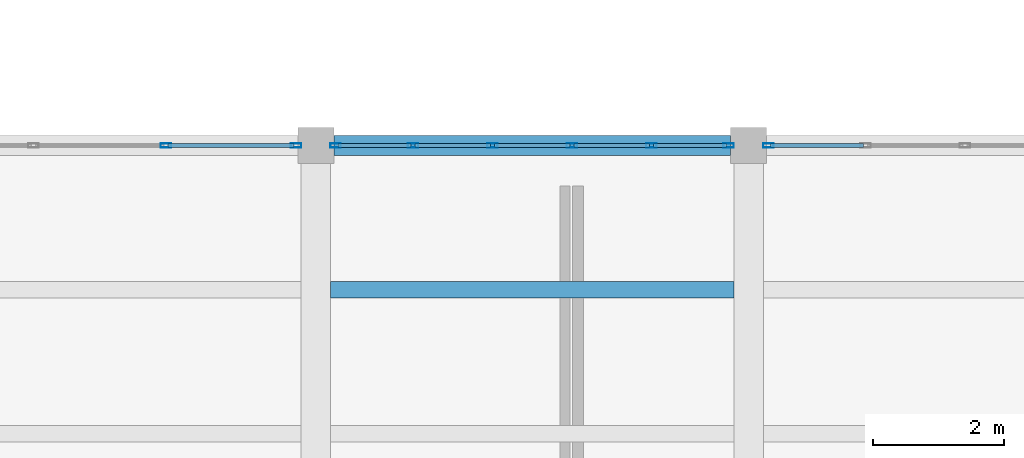
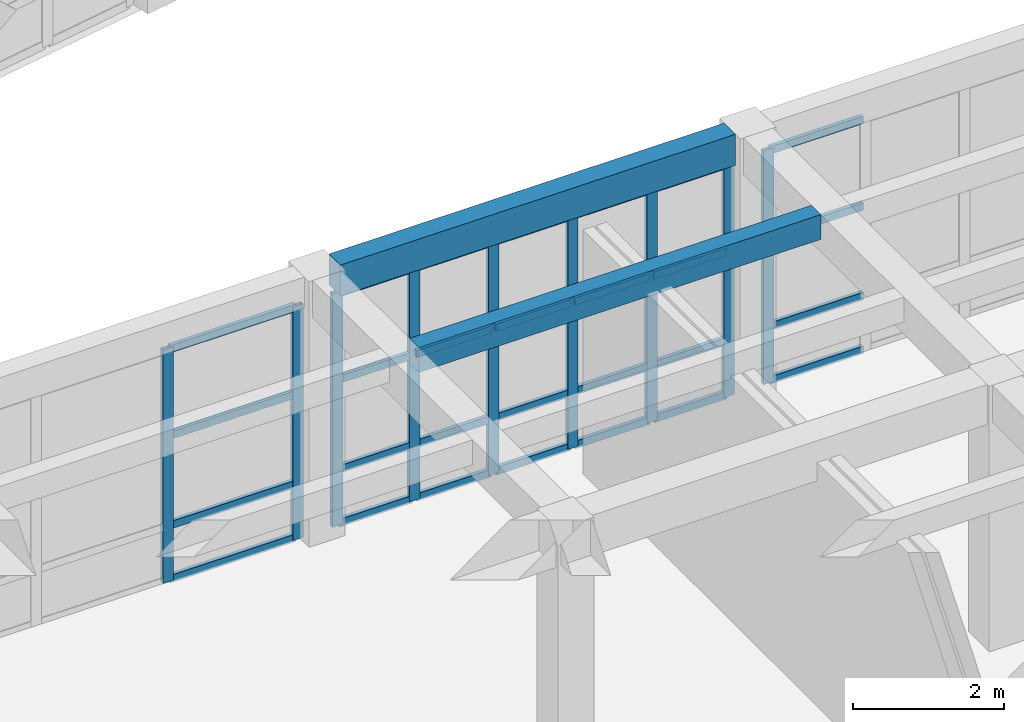
# One storey, part 7 of 48: 37 members, 2 beams, 3 elements without a shape of their own.
"""IFC4 building model written with IfcOpenShell, lengths in metres."""

from ifc_helpers import new_model, si_unit, direction, frame, origin, origin_2d, place, context, subcontext, project, spatial, rectangle, hollow_rectangle, extrude, material, layer, layer_set, material_profile, profile_set, type_object, element, aggregate, save


model = new_model("IFC4")

# Units and contexts
model_context = context("Model", 3, precision=1e-05, world=origin(), true_north=direction((0.0, 1.0)))
body_context = subcontext(model_context, "Body", "Model", "MODEL_VIEW")
ifc_project = project(units=[si_unit("LENGTHUNIT", "METRE"), si_unit("AREAUNIT", "SQUARE_METRE"), si_unit("VOLUMEUNIT", "CUBIC_METRE"), si_unit("PLANEANGLEUNIT", "RADIAN"), si_unit("MASSUNIT", "GRAM", prefix="KILO")], contexts=[model_context])

# Site, building, storey
site_placement = place(None, origin())
site = spatial("IfcSite", under=ifc_project, at=site_placement, CompositionType="ELEMENT")
building_placement = place(site_placement, origin())
building = spatial("IfcBuilding", under=site, at=building_placement, Name="Kharisveld Research Institute", CompositionType="ELEMENT")
storey_placement = place(building_placement, frame((0.0, 0.0, 14.10009765625)))
storey = spatial("IfcBuildingStorey", under=building, at=storey_placement, Name="L03", CompositionType="ELEMENT", Elevation=14.10009765625)

# Curtain wall, members
ifc_material_1 = material(Name="Thermally Broken Aluminium Curtain Wall", Category="aluminium")
ifc_layer_1 = layer(ifc_material_1, 0.159912109375)
ifc_layer_set_1 = layer_set([ifc_layer_1], Name="CW_SYS_06")
curtain_wall_type_1 = type_object("IfcCurtainWallType", Name="CW_SYS_06", PredefinedType="NOTDEFINED", material=ifc_layer_set_1)
curtain_wall_1_placement = place(storey_placement, origin())
curtain_wall_1 = element("IfcCurtainWall", 1, at=curtain_wall_1_placement, inside=storey, type_object=curtain_wall_type_1, Name="CW:V3:L03:N2", PredefinedType="NOTDEFINED")
ifc_material_2 = material(Name="Anodised Aluminium AW-6063-T6", Category="aluminium")
ifc_material_profile_1 = material_profile(ifc_material_2, hollow_rectangle(XDim=0.06494140625, YDim=0.159912109375, WallThickness=0.00390625, at=origin_2d()))
ifc_profile_set_1 = profile_set([ifc_material_profile_1], Name="Anodised Aluminium AW-6063-T6")
member_type_1 = type_object("IfcMemberType", Name="CW_MUL_160", PredefinedType="MULLION", material=ifc_profile_set_1)
member_1_placement = place(storey_placement, frame((18.110107421875, 26.60009765625, 0.0), z_axis=(0.0, 0.0, 1.0), x_axis=(0.0, 1.0, 0.0)))
member_1 = element("IfcMember", 2, at=member_1_placement, type_object=member_type_1, Name="CW-06 mullion 3", PredefinedType="MULLION", context=body_context, shape_type="SweptSolid", body=[
    extrude(hollow_rectangle(XDim=0.06494140625, YDim=0.159912109375, WallThickness=0.00390625, at=origin_2d()), origin(), (0.0, 0.0, 1.0), 3.77978515625),
])
member_2_placement = place(storey_placement, frame((20.097412109375, 26.60009765625, 0.0), z_axis=(0.0, 0.0, 1.0), x_axis=(0.0, 1.0, 0.0)))
member_2 = element("IfcMember", 3, at=member_2_placement, type_object=member_type_1, Name="CW-06 mullion 4", PredefinedType="MULLION", context=body_context, shape_type="SweptSolid", body=[
    extrude(hollow_rectangle(XDim=0.06494140625, YDim=0.159912109375, WallThickness=0.00390625, at=origin_2d()), origin(), (0.0, 0.0, 1.0), 3.77978515625),
])

ifc_material_3 = material(Name="Thermally Broken Aluminium Curtain Wall", Category="aluminium")
ifc_layer_2 = layer(ifc_material_3, 0.159912109375)
ifc_layer_set_2 = layer_set([ifc_layer_2], Name="CW_SYS_01")
curtain_wall_type_2 = type_object("IfcCurtainWallType", Name="CW_SYS_01", PredefinedType="NOTDEFINED", material=ifc_layer_set_2)
curtain_wall_2_placement = place(storey_placement, origin())
curtain_wall_2 = element("IfcCurtainWall", 4, at=curtain_wall_2_placement, inside=storey, type_object=curtain_wall_type_2, Name="CW:V3:L03:N3", PredefinedType="NOTDEFINED")
member_3_placement = place(storey_placement, frame((20.702392578125, 26.60009765625, 0.0), z_axis=(0.0, 0.0, 1.0), x_axis=(0.0, 1.0, 0.0)))
member_3 = element("IfcMember", 5, at=member_3_placement, type_object=member_type_1, Name="CW-01 mullion 1", PredefinedType="MULLION", context=body_context, shape_type="SweptSolid", body=[
    extrude(hollow_rectangle(XDim=0.06494140625, YDim=0.159912109375, WallThickness=0.00390625, at=origin_2d()), origin(), (0.0, 0.0, 1.0), 3.77978515625),
])
member_4_placement = place(storey_placement, frame((21.882080078125, 26.60009765625, 0.0), z_axis=(0.0, 0.0, 1.0), x_axis=(0.0, 1.0, 0.0)))
member_4 = element("IfcMember", 6, at=member_4_placement, type_object=member_type_1, Name="CW-01 mullion 2", PredefinedType="MULLION", context=body_context, shape_type="SweptSolid", body=[
    extrude(hollow_rectangle(XDim=0.06494140625, YDim=0.159912109375, WallThickness=0.00390625, at=origin_2d()), origin(), (0.0, 0.0, 1.0), 3.77978515625),
])
member_5_placement = place(storey_placement, frame((23.093994140625, 26.60009765625, 0.0), z_axis=(0.0, 0.0, 1.0), x_axis=(0.0, 1.0, 0.0)))
member_5 = element("IfcMember", 7, at=member_5_placement, type_object=member_type_1, Name="CW-01 mullion 3", PredefinedType="MULLION", context=body_context, shape_type="SweptSolid", body=[
    extrude(hollow_rectangle(XDim=0.06494140625, YDim=0.159912109375, WallThickness=0.00390625, at=origin_2d()), origin(), (0.0, 0.0, 1.0), 3.77978515625),
])
member_6_placement = place(storey_placement, frame((24.305908203125, 26.60009765625, 0.0), z_axis=(0.0, 0.0, 1.0), x_axis=(0.0, 1.0, 0.0)))
member_6 = element("IfcMember", 8, at=member_6_placement, type_object=member_type_1, Name="CW-01 mullion 4", PredefinedType="MULLION", context=body_context, shape_type="SweptSolid", body=[
    extrude(hollow_rectangle(XDim=0.06494140625, YDim=0.159912109375, WallThickness=0.00390625, at=origin_2d()), origin(), (0.0, 0.0, 1.0), 3.77978515625),
])
member_7_placement = place(storey_placement, frame((25.51806640625, 26.60009765625, 0.0), z_axis=(0.0, 0.0, 1.0), x_axis=(0.0, 1.0, 0.0)))
member_7 = element("IfcMember", 9, at=member_7_placement, type_object=member_type_1, Name="CW-01 mullion 5", PredefinedType="MULLION", context=body_context, shape_type="SweptSolid", body=[
    extrude(hollow_rectangle(XDim=0.06494140625, YDim=0.159912109375, WallThickness=0.00390625, at=origin_2d()), origin(), (0.0, 0.0, 1.0), 3.77978515625),
])
member_8_placement = place(storey_placement, frame((26.697509765625, 26.60009765625, 0.0), z_axis=(0.0, 0.0, 1.0), x_axis=(0.0, 1.0, 0.0)))
member_8 = element("IfcMember", 10, at=member_8_placement, type_object=member_type_1, Name="CW-01 mullion 6", PredefinedType="MULLION", context=body_context, shape_type="SweptSolid", body=[
    extrude(hollow_rectangle(XDim=0.06494140625, YDim=0.159912109375, WallThickness=0.00390625, at=origin_2d()), origin(), (0.0, 0.0, 1.0), 3.77978515625),
])

# Curtain wall, member
ifc_material_4 = material(Name="Thermally Broken Aluminium Curtain Wall", Category="aluminium")
ifc_layer_3 = layer(ifc_material_4, 0.159912109375)
ifc_layer_set_3 = layer_set([ifc_layer_3], Name="CW_SYS_02")
curtain_wall_type_3 = type_object("IfcCurtainWallType", Name="CW_SYS_02", PredefinedType="NOTDEFINED", material=ifc_layer_set_3)
curtain_wall_3_placement = place(storey_placement, origin())
curtain_wall_3 = element("IfcCurtainWall", 11, at=curtain_wall_3_placement, inside=storey, type_object=curtain_wall_type_3, Name="CW:V3:L03:N4", PredefinedType="NOTDEFINED")
member_9_placement = place(storey_placement, frame((27.302490234375, 26.60009765625, 0.0), z_axis=(0.0, 0.0, 1.0), x_axis=(0.0, 1.0, 0.0)))
member_9 = element("IfcMember", 12, at=member_9_placement, type_object=member_type_1, Name="CW-02 mullion 1", PredefinedType="MULLION", context=body_context, shape_type="SweptSolid", body=[
    extrude(hollow_rectangle(XDim=0.06494140625, YDim=0.159912109375, WallThickness=0.00390625, at=origin_2d()), origin(), (0.0, 0.0, 1.0), 3.77978515625),
])

# Member
ifc_material_5 = material(Name="Anodised Aluminium AW-6063-T6", Category="aluminium")
ifc_material_profile_2 = material_profile(ifc_material_5, hollow_rectangle(XDim=0.06005859375, YDim=0.1201171875, WallThickness=0.00390625, at=origin_2d()))
ifc_profile_set_2 = profile_set([ifc_material_profile_2], Name="Anodised Aluminium AW-6063-T6")
member_type_2 = type_object("IfcMemberType", Name="CW_TRN_120", PredefinedType="USERDEFINED", material=ifc_profile_set_2)
member_10_placement = place(storey_placement, frame((18.142578125, 26.60009765625, 0.02978515625), z_axis=(1.0, 0.0, 0.0), x_axis=(0.0, 1.0, 0.0)))
member_10 = element("IfcMember", 13, at=member_10_placement, type_object=member_type_2, Name="CW-06 transom 3.1", ObjectType="TRANSOM", PredefinedType="USERDEFINED", context=body_context, shape_type="SweptSolid", body=[
    extrude(hollow_rectangle(XDim=0.06005859375, YDim=0.1201171875, WallThickness=0.00390625, at=origin_2d()), origin(), (0.0, 0.0, 1.0), 1.92236328125),
])

member_11_placement = place(storey_placement, frame((18.142578125, 26.60009765625, 0.89990234375), z_axis=(1.0, 0.0, 0.0), x_axis=(0.0, 1.0, 0.0)))
member_11 = element("IfcMember", 14, at=member_11_placement, type_object=member_type_2, Name="CW-06 transom 3.2", ObjectType="TRANSOM", PredefinedType="USERDEFINED", context=body_context, shape_type="SweptSolid", body=[
    extrude(hollow_rectangle(XDim=0.06005859375, YDim=0.1201171875, WallThickness=0.00390625, at=origin_2d()), origin(), (0.0, 0.0, 1.0), 1.92236328125),
])

member_12_placement = place(storey_placement, frame((18.142578125, 26.60009765625, 2.349853515625), z_axis=(1.0, 0.0, 0.0), x_axis=(0.0, 1.0, 0.0)))
member_12 = element("IfcMember", 15, at=member_12_placement, type_object=member_type_2, Name="CW-06 transom 3.3", ObjectType="TRANSOM", PredefinedType="USERDEFINED", context=body_context, shape_type="SweptSolid", body=[
    extrude(hollow_rectangle(XDim=0.06005859375, YDim=0.1201171875, WallThickness=0.00390625, at=origin_2d()), origin(), (0.0, 0.0, 1.0), 1.92236328125),
])

member_13_placement = place(storey_placement, frame((18.142578125, 26.60009765625, 3.75), z_axis=(1.0, 0.0, 0.0), x_axis=(0.0, 1.0, 0.0)))
member_13 = element("IfcMember", 16, at=member_13_placement, type_object=member_type_2, Name="CW-06 transom 3.4", ObjectType="TRANSOM", PredefinedType="USERDEFINED", context=body_context, shape_type="SweptSolid", body=[
    extrude(hollow_rectangle(XDim=0.06005859375, YDim=0.1201171875, WallThickness=0.00390625, at=origin_2d()), origin(), (0.0, 0.0, 1.0), 1.92236328125),
])

aggregate(curtain_wall_1, [member_1, member_2, member_10, member_11, member_12, member_13])

member_14_placement = place(storey_placement, frame((20.735107421875, 26.60009765625, 0.02978515625), z_axis=(1.0, 0.0, 0.0), x_axis=(0.0, 1.0, 0.0)))
member_14 = element("IfcMember", 17, at=member_14_placement, type_object=member_type_2, Name="CW-01 transom 1.1", ObjectType="TRANSOM", PredefinedType="USERDEFINED", context=body_context, shape_type="SweptSolid", body=[
    extrude(hollow_rectangle(XDim=0.06005859375, YDim=0.1201171875, WallThickness=0.00390625, at=origin_2d()), origin(), (0.0, 0.0, 1.0), 1.114501953125),
])

member_15_placement = place(storey_placement, frame((20.735107421875, 26.60009765625, 0.89990234375), z_axis=(1.0, 0.0, 0.0), x_axis=(0.0, 1.0, 0.0)))
member_15 = element("IfcMember", 18, at=member_15_placement, type_object=member_type_2, Name="CW-01 transom 1.2", ObjectType="TRANSOM", PredefinedType="USERDEFINED", context=body_context, shape_type="SweptSolid", body=[
    extrude(hollow_rectangle(XDim=0.06005859375, YDim=0.1201171875, WallThickness=0.00390625, at=origin_2d()), origin(), (0.0, 0.0, 1.0), 1.114501953125),
])

member_16_placement = place(storey_placement, frame((20.735107421875, 26.60009765625, 2.349853515625), z_axis=(1.0, 0.0, 0.0), x_axis=(0.0, 1.0, 0.0)))
member_16 = element("IfcMember", 19, at=member_16_placement, type_object=member_type_2, Name="CW-01 transom 1.3", ObjectType="TRANSOM", PredefinedType="USERDEFINED", context=body_context, shape_type="SweptSolid", body=[
    extrude(hollow_rectangle(XDim=0.06005859375, YDim=0.1201171875, WallThickness=0.00390625, at=origin_2d()), origin(), (0.0, 0.0, 1.0), 1.114501953125),
])

member_17_placement = place(storey_placement, frame((20.735107421875, 26.60009765625, 3.75), z_axis=(1.0, 0.0, 0.0), x_axis=(0.0, 1.0, 0.0)))
member_17 = element("IfcMember", 20, at=member_17_placement, type_object=member_type_2, Name="CW-01 transom 1.4", ObjectType="TRANSOM", PredefinedType="USERDEFINED", context=body_context, shape_type="SweptSolid", body=[
    extrude(hollow_rectangle(XDim=0.06005859375, YDim=0.1201171875, WallThickness=0.00390625, at=origin_2d()), origin(), (0.0, 0.0, 1.0), 1.114501953125),
])

member_18_placement = place(storey_placement, frame((21.91455078125, 26.60009765625, 0.02978515625), z_axis=(1.0, 0.0, 0.0), x_axis=(0.0, 1.0, 0.0)))
member_18 = element("IfcMember", 21, at=member_18_placement, type_object=member_type_2, Name="CW-01 transom 2.1", ObjectType="TRANSOM", PredefinedType="USERDEFINED", context=body_context, shape_type="SweptSolid", body=[
    extrude(hollow_rectangle(XDim=0.06005859375, YDim=0.1201171875, WallThickness=0.00390625, at=origin_2d()), origin(), (0.0, 0.0, 1.0), 1.14697265625),
])

member_19_placement = place(storey_placement, frame((21.91455078125, 26.60009765625, 0.89990234375), z_axis=(1.0, 0.0, 0.0), x_axis=(0.0, 1.0, 0.0)))
member_19 = element("IfcMember", 22, at=member_19_placement, type_object=member_type_2, Name="CW-01 transom 2.2", ObjectType="TRANSOM", PredefinedType="USERDEFINED", context=body_context, shape_type="SweptSolid", body=[
    extrude(hollow_rectangle(XDim=0.06005859375, YDim=0.1201171875, WallThickness=0.00390625, at=origin_2d()), origin(), (0.0, 0.0, 1.0), 1.14697265625),
])

member_20_placement = place(storey_placement, frame((21.91455078125, 26.60009765625, 2.349853515625), z_axis=(1.0, 0.0, 0.0), x_axis=(0.0, 1.0, 0.0)))
member_20 = element("IfcMember", 23, at=member_20_placement, type_object=member_type_2, Name="CW-01 transom 2.3", ObjectType="TRANSOM", PredefinedType="USERDEFINED", context=body_context, shape_type="SweptSolid", body=[
    extrude(hollow_rectangle(XDim=0.06005859375, YDim=0.1201171875, WallThickness=0.00390625, at=origin_2d()), origin(), (0.0, 0.0, 1.0), 1.14697265625),
])

member_21_placement = place(storey_placement, frame((21.91455078125, 26.60009765625, 3.75), z_axis=(1.0, 0.0, 0.0), x_axis=(0.0, 1.0, 0.0)))
member_21 = element("IfcMember", 24, at=member_21_placement, type_object=member_type_2, Name="CW-01 transom 2.4", ObjectType="TRANSOM", PredefinedType="USERDEFINED", context=body_context, shape_type="SweptSolid", body=[
    extrude(hollow_rectangle(XDim=0.06005859375, YDim=0.1201171875, WallThickness=0.00390625, at=origin_2d()), origin(), (0.0, 0.0, 1.0), 1.14697265625),
])

member_22_placement = place(storey_placement, frame((23.12646484375, 26.60009765625, 0.02978515625), z_axis=(1.0, 0.0, 0.0), x_axis=(0.0, 1.0, 0.0)))
member_22 = element("IfcMember", 25, at=member_22_placement, type_object=member_type_2, Name="CW-01 transom 3.1", ObjectType="TRANSOM", PredefinedType="USERDEFINED", context=body_context, shape_type="SweptSolid", body=[
    extrude(hollow_rectangle(XDim=0.06005859375, YDim=0.1201171875, WallThickness=0.00390625, at=origin_2d()), origin(), (0.0, 0.0, 1.0), 1.14697265625),
])

member_23_placement = place(storey_placement, frame((23.12646484375, 26.60009765625, 0.89990234375), z_axis=(1.0, 0.0, 0.0), x_axis=(0.0, 1.0, 0.0)))
member_23 = element("IfcMember", 26, at=member_23_placement, type_object=member_type_2, Name="CW-01 transom 3.2", ObjectType="TRANSOM", PredefinedType="USERDEFINED", context=body_context, shape_type="SweptSolid", body=[
    extrude(hollow_rectangle(XDim=0.06005859375, YDim=0.1201171875, WallThickness=0.00390625, at=origin_2d()), origin(), (0.0, 0.0, 1.0), 1.14697265625),
])

member_24_placement = place(storey_placement, frame((23.12646484375, 26.60009765625, 2.349853515625), z_axis=(1.0, 0.0, 0.0), x_axis=(0.0, 1.0, 0.0)))
member_24 = element("IfcMember", 27, at=member_24_placement, type_object=member_type_2, Name="CW-01 transom 3.3", ObjectType="TRANSOM", PredefinedType="USERDEFINED", context=body_context, shape_type="SweptSolid", body=[
    extrude(hollow_rectangle(XDim=0.06005859375, YDim=0.1201171875, WallThickness=0.00390625, at=origin_2d()), origin(), (0.0, 0.0, 1.0), 1.14697265625),
])

member_25_placement = place(storey_placement, frame((23.12646484375, 26.60009765625, 3.75), z_axis=(1.0, 0.0, 0.0), x_axis=(0.0, 1.0, 0.0)))
member_25 = element("IfcMember", 28, at=member_25_placement, type_object=member_type_2, Name="CW-01 transom 3.4", ObjectType="TRANSOM", PredefinedType="USERDEFINED", context=body_context, shape_type="SweptSolid", body=[
    extrude(hollow_rectangle(XDim=0.06005859375, YDim=0.1201171875, WallThickness=0.00390625, at=origin_2d()), origin(), (0.0, 0.0, 1.0), 1.14697265625),
])

member_26_placement = place(storey_placement, frame((24.33837890625, 26.60009765625, 0.02978515625), z_axis=(1.0, 0.0, 0.0), x_axis=(0.0, 1.0, 0.0)))
member_26 = element("IfcMember", 29, at=member_26_placement, type_object=member_type_2, Name="CW-01 transom 4.1", ObjectType="TRANSOM", PredefinedType="USERDEFINED", context=body_context, shape_type="SweptSolid", body=[
    extrude(hollow_rectangle(XDim=0.06005859375, YDim=0.1201171875, WallThickness=0.00390625, at=origin_2d()), origin(), (0.0, 0.0, 1.0), 1.147216796875),
])

member_27_placement = place(storey_placement, frame((24.33837890625, 26.60009765625, 0.89990234375), z_axis=(1.0, 0.0, 0.0), x_axis=(0.0, 1.0, 0.0)))
member_27 = element("IfcMember", 30, at=member_27_placement, type_object=member_type_2, Name="CW-01 transom 4.2", ObjectType="TRANSOM", PredefinedType="USERDEFINED", context=body_context, shape_type="SweptSolid", body=[
    extrude(hollow_rectangle(XDim=0.06005859375, YDim=0.1201171875, WallThickness=0.00390625, at=origin_2d()), origin(), (0.0, 0.0, 1.0), 1.147216796875),
])

member_28_placement = place(storey_placement, frame((24.33837890625, 26.60009765625, 2.349853515625), z_axis=(1.0, 0.0, 0.0), x_axis=(0.0, 1.0, 0.0)))
member_28 = element("IfcMember", 31, at=member_28_placement, type_object=member_type_2, Name="CW-01 transom 4.3", ObjectType="TRANSOM", PredefinedType="USERDEFINED", context=body_context, shape_type="SweptSolid", body=[
    extrude(hollow_rectangle(XDim=0.06005859375, YDim=0.1201171875, WallThickness=0.00390625, at=origin_2d()), origin(), (0.0, 0.0, 1.0), 1.147216796875),
])

member_29_placement = place(storey_placement, frame((24.33837890625, 26.60009765625, 3.75), z_axis=(1.0, 0.0, 0.0), x_axis=(0.0, 1.0, 0.0)))
member_29 = element("IfcMember", 32, at=member_29_placement, type_object=member_type_2, Name="CW-01 transom 4.4", ObjectType="TRANSOM", PredefinedType="USERDEFINED", context=body_context, shape_type="SweptSolid", body=[
    extrude(hollow_rectangle(XDim=0.06005859375, YDim=0.1201171875, WallThickness=0.00390625, at=origin_2d()), origin(), (0.0, 0.0, 1.0), 1.147216796875),
])

member_30_placement = place(storey_placement, frame((25.550537109375, 26.60009765625, 0.02978515625), z_axis=(1.0, 0.0, 0.0), x_axis=(0.0, 1.0, 0.0)))
member_30 = element("IfcMember", 33, at=member_30_placement, type_object=member_type_2, Name="CW-01 transom 5.1", ObjectType="TRANSOM", PredefinedType="USERDEFINED", context=body_context, shape_type="SweptSolid", body=[
    extrude(hollow_rectangle(XDim=0.06005859375, YDim=0.1201171875, WallThickness=0.00390625, at=origin_2d()), origin(), (0.0, 0.0, 1.0), 1.114501953125),
])

member_31_placement = place(storey_placement, frame((25.550537109375, 26.60009765625, 0.89990234375), z_axis=(1.0, 0.0, 0.0), x_axis=(0.0, 1.0, 0.0)))
member_31 = element("IfcMember", 34, at=member_31_placement, type_object=member_type_2, Name="CW-01 transom 5.2", ObjectType="TRANSOM", PredefinedType="USERDEFINED", context=body_context, shape_type="SweptSolid", body=[
    extrude(hollow_rectangle(XDim=0.06005859375, YDim=0.1201171875, WallThickness=0.00390625, at=origin_2d()), origin(), (0.0, 0.0, 1.0), 1.114501953125),
])

member_32_placement = place(storey_placement, frame((25.550537109375, 26.60009765625, 2.349853515625), z_axis=(1.0, 0.0, 0.0), x_axis=(0.0, 1.0, 0.0)))
member_32 = element("IfcMember", 35, at=member_32_placement, type_object=member_type_2, Name="CW-01 transom 5.3", ObjectType="TRANSOM", PredefinedType="USERDEFINED", context=body_context, shape_type="SweptSolid", body=[
    extrude(hollow_rectangle(XDim=0.06005859375, YDim=0.1201171875, WallThickness=0.00390625, at=origin_2d()), origin(), (0.0, 0.0, 1.0), 1.114501953125),
])

member_33_placement = place(storey_placement, frame((25.550537109375, 26.60009765625, 3.75), z_axis=(1.0, 0.0, 0.0), x_axis=(0.0, 1.0, 0.0)))
member_33 = element("IfcMember", 36, at=member_33_placement, type_object=member_type_2, Name="CW-01 transom 5.4", ObjectType="TRANSOM", PredefinedType="USERDEFINED", context=body_context, shape_type="SweptSolid", body=[
    extrude(hollow_rectangle(XDim=0.06005859375, YDim=0.1201171875, WallThickness=0.00390625, at=origin_2d()), origin(), (0.0, 0.0, 1.0), 1.114501953125),
])

aggregate(curtain_wall_2, [member_3, member_4, member_5, member_6, member_7, member_8, member_14, member_15, member_16, member_17, member_18, member_19, member_20, member_21, member_22, member_23, member_24, member_25, member_26, member_27, member_28, member_29, member_30, member_31, member_32, member_33])

member_34_placement = place(storey_placement, frame((27.3349609375, 26.60009765625, 0.02978515625), z_axis=(1.0, 0.0, 0.0), x_axis=(0.0, 1.0, 0.0)))
member_34 = element("IfcMember", 37, at=member_34_placement, type_object=member_type_2, Name="CW-02 transom 1.1", ObjectType="TRANSOM", PredefinedType="USERDEFINED", context=body_context, shape_type="SweptSolid", body=[
    extrude(hollow_rectangle(XDim=0.06005859375, YDim=0.1201171875, WallThickness=0.00390625, at=origin_2d()), origin(), (0.0, 0.0, 1.0), 1.41748046875),
])

member_35_placement = place(storey_placement, frame((27.3349609375, 26.60009765625, 0.89990234375), z_axis=(1.0, 0.0, 0.0), x_axis=(0.0, 1.0, 0.0)))
member_35 = element("IfcMember", 38, at=member_35_placement, type_object=member_type_2, Name="CW-02 transom 1.2", ObjectType="TRANSOM", PredefinedType="USERDEFINED", context=body_context, shape_type="SweptSolid", body=[
    extrude(hollow_rectangle(XDim=0.06005859375, YDim=0.1201171875, WallThickness=0.00390625, at=origin_2d()), origin(), (0.0, 0.0, 1.0), 1.41748046875),
])

member_36_placement = place(storey_placement, frame((27.3349609375, 26.60009765625, 2.349853515625), z_axis=(1.0, 0.0, 0.0), x_axis=(0.0, 1.0, 0.0)))
member_36 = element("IfcMember", 39, at=member_36_placement, type_object=member_type_2, Name="CW-02 transom 1.3", ObjectType="TRANSOM", PredefinedType="USERDEFINED", context=body_context, shape_type="SweptSolid", body=[
    extrude(hollow_rectangle(XDim=0.06005859375, YDim=0.1201171875, WallThickness=0.00390625, at=origin_2d()), origin(), (0.0, 0.0, 1.0), 1.41748046875),
])

member_37_placement = place(storey_placement, frame((27.3349609375, 26.60009765625, 3.75), z_axis=(1.0, 0.0, 0.0), x_axis=(0.0, 1.0, 0.0)))
member_37 = element("IfcMember", 40, at=member_37_placement, type_object=member_type_2, Name="CW-02 transom 1.4", ObjectType="TRANSOM", PredefinedType="USERDEFINED", context=body_context, shape_type="SweptSolid", body=[
    extrude(hollow_rectangle(XDim=0.06005859375, YDim=0.1201171875, WallThickness=0.00390625, at=origin_2d()), origin(), (0.0, 0.0, 1.0), 1.41748046875),
])

aggregate(curtain_wall_3, [member_9, member_34, member_35, member_36, member_37])

# Beams
ifc_material_6 = material(Name="Concrete C40/50", Category="concrete")
ifc_material_profile_3 = material_profile(ifc_material_6, rectangle(XDim=0.300048828125, YDim=0.5, at=origin_2d()))
ifc_profile_set_3 = profile_set([ifc_material_profile_3], Name="Concrete C40/50")
beam_type_1 = type_object("IfcBeamType", Name="SP_RC_300x500", PredefinedType="SPANDREL", material=ifc_profile_set_3)
beam_1_placement = place(storey_placement, frame((20.675048828125, 26.60009765625, 4.0498046875), z_axis=(1.0, 0.0, 0.0), x_axis=(0.0, 1.0, 0.0)))
element("IfcBeam", 41, at=beam_1_placement, inside=storey, type_object=beam_type_1, Name="BM:V3:L03:U3_4", PredefinedType="SPANDREL", context=body_context, shape_type="SweptSolid", body=[
    extrude(rectangle(XDim=0.300048828125, YDim=0.5, at=origin_2d()), origin(), (0.0, 0.0, 1.0), 6.050048828125),
])
ifc_material_7 = material(Name="Concrete C40/50", Category="concrete")
ifc_material_profile_4 = material_profile(ifc_material_7, rectangle(XDim=0.25, YDim=0.39990234375, at=origin_2d()))
ifc_profile_set_4 = profile_set([ifc_material_profile_4], Name="Concrete C40/50")
beam_type_2 = type_object("IfcBeamType", Name="WB_RC_250x400", PredefinedType="JOIST", material=ifc_profile_set_4)
beam_2_placement = place(storey_placement, frame((20.625, 24.39990234375, 4.099853515625), z_axis=(1.0, 0.0, 0.0), x_axis=(0.0, 1.0, 0.0)))
element("IfcBeam", 42, at=beam_2_placement, inside=storey, type_object=beam_type_2, Name="BM:V3:L03:J_3_3_R2", PredefinedType="JOIST", context=body_context, shape_type="SweptSolid", body=[
    extrude(rectangle(XDim=0.25, YDim=0.39990234375, at=origin_2d()), origin(), (0.0, 0.0, 1.0), 6.14990234375),
])

save(model, "model.ifc")
